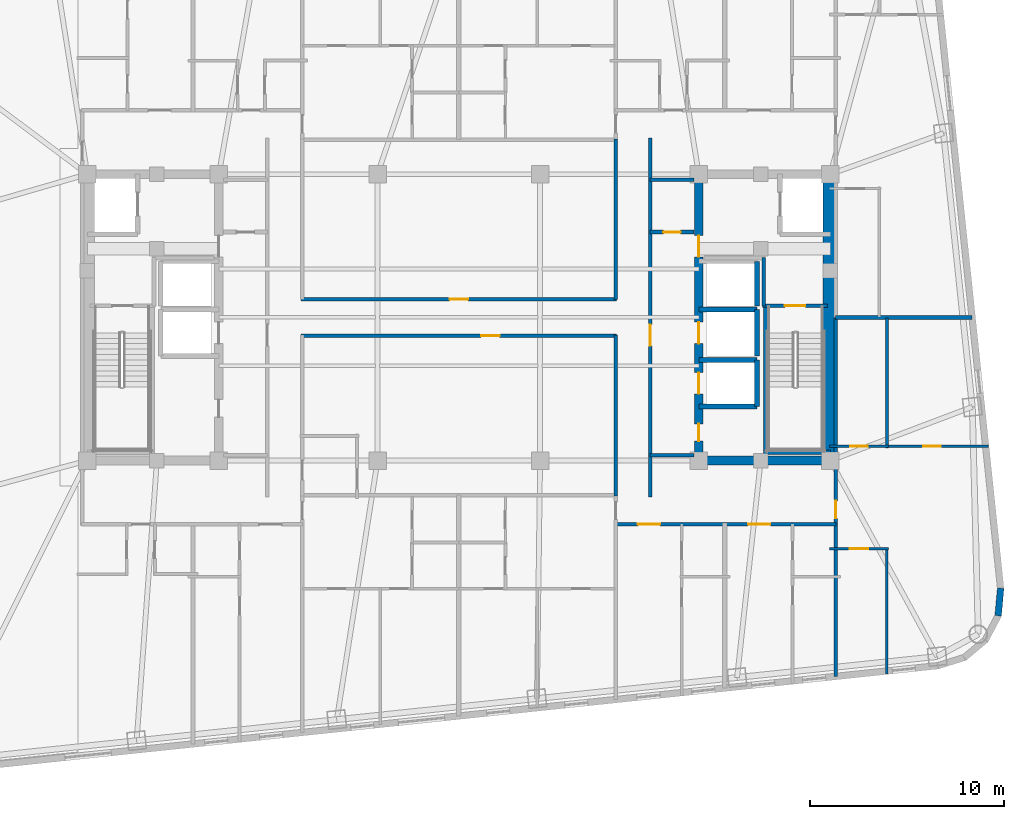
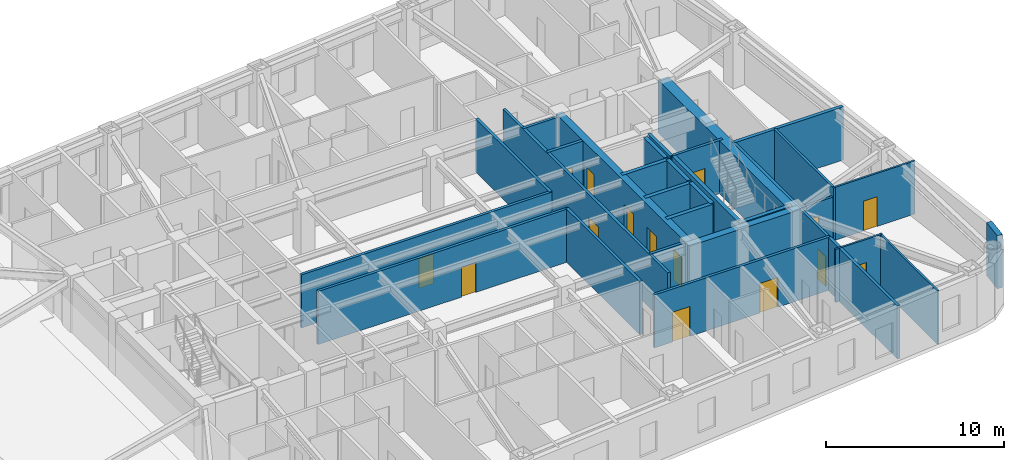
# One storey, part 9 of 15: 30 walls, 15 doors, 15 openings.
"""IFC4 building model written with IfcOpenShell, lengths in metres."""

from ifc_helpers import new_model, si_unit, direction, frame, frame_2d, origin, place, context, subcontext, project, spatial, rectangle, extrude, material, layer, layer_set, type_object, element, fill, save


model = new_model("IFC4")

# Units and contexts
model_context = context("Model", 3, precision=1e-05, world=origin(), true_north=direction((0.0, 1.0)))
body_context = subcontext(model_context, "Body", "Model", "MODEL_VIEW")
ifc_project = project(units=[si_unit("LENGTHUNIT", "METRE"), si_unit("AREAUNIT", "SQUARE_METRE"), si_unit("VOLUMEUNIT", "CUBIC_METRE"), si_unit("PLANEANGLEUNIT", "RADIAN"), si_unit("MASSUNIT", "GRAM", prefix="KILO")], contexts=[model_context])

# Site, building, storey
site_placement = place(None, origin())
site = spatial("IfcSite", under=ifc_project, at=site_placement, CompositionType="ELEMENT")
building_placement = place(site_placement, origin())
building = spatial("IfcBuilding", under=site, at=building_placement, Name="Voryun Gate Residences", CompositionType="ELEMENT")
storey_placement = place(building_placement, frame((0.0, 0.0, 148.199951171875)))
storey = spatial("IfcBuildingStorey", under=building, at=storey_placement, Name="L36", CompositionType="ELEMENT", Elevation=148.199951171875)

# Wall
ifc_material_1 = material(Name="Concrete C50/60", Category="concrete")
ifc_layer_1 = layer(ifc_material_1, 0.449951171875, Name="CW_CORE_450")
ifc_layer_set_1 = layer_set([ifc_layer_1], Name="Concrete C50/60")
wall_type_1 = type_object("IfcWallType", Name="CW_CORE_450", PredefinedType="SHEAR", material=ifc_layer_set_1)
wall_1_placement = place(storey_placement, frame((12.175048828125, -7.39990234375, 0.0), z_axis=(0.0, 0.0, 1.0), x_axis=(1.0, 0.0, 0.0)))
element("IfcWall", 1, at=wall_1_placement, inside=storey, type_object=wall_type_1, Name="L36 Core shear wall CW-L36-ES", PredefinedType="SHEAR", context=body_context, shape_type="SweptSolid", body=[
    extrude(rectangle(XDim=7.25, YDim=0.449951171875, at=frame_2d((3.625, 0.0))), origin(), (0.0, 0.0, 1.0), 3.650146484375),
])

# Wall, openings, doors
wall_2_placement = place(storey_placement, frame((12.39990234375, -7.39990234375, 0.0), z_axis=(0.0, 0.0, 1.0), x_axis=(0.0, 1.0, 0.0)))
wall_2 = element("IfcWall", 2, at=wall_2_placement, inside=storey, type_object=wall_type_1, Name="L36 Core shear wall CW-L36-EW", PredefinedType="SHEAR", context=body_context, shape_type="SweptSolid", body=[
    extrude(rectangle(XDim=14.7998046875, YDim=0.449951171875, at=frame_2d((7.39990234375, 0.0))), origin(), (0.0, 0.0, 1.0), 3.650146484375),
])
opening_1_placement = place(wall_2_placement, frame((3.449951171875, 0.0, 0.0)))
opening_1 = element("IfcOpeningElement", 3, at=opening_1_placement, cuts=wall_2, Name="Opening LD2", PredefinedType="OPENING", context=body_context, shape_type="SweptSolid", body=[
    extrude(rectangle(XDim=1.10009765625, YDim=2.050048828125, at=frame_2d((0.550048828125, 1.02490234375))), frame((0.0, 0.235107421875, 0.0), z_axis=(0.0, -1.0, 0.0), x_axis=(1.0, 0.0, 0.0)), (0.0, 0.0, 1.0), 0.469970703125),
])
opening_2_placement = place(wall_2_placement, frame((6.050048828125, 0.0, 0.0)))
opening_2 = element("IfcOpeningElement", 4, at=opening_2_placement, cuts=wall_2, Name="Opening LD2", PredefinedType="OPENING", context=body_context, shape_type="SweptSolid", body=[
    extrude(rectangle(XDim=1.10009765625, YDim=2.050048828125, at=frame_2d((0.550048828125, 1.02490234375))), frame((0.0, 0.235107421875, 0.0), z_axis=(0.0, -1.0, 0.0), x_axis=(1.0, 0.0, 0.0)), (0.0, 0.0, 1.0), 0.469970703125),
])
opening_3_placement = place(wall_2_placement, frame((10.530029296875, 0.0, 0.0)))
opening_3 = element("IfcOpeningElement", 5, at=opening_3_placement, cuts=wall_2, Name="Opening D-FD60-2", PredefinedType="OPENING", context=body_context, shape_type="SweptSolid", body=[
    extrude(rectangle(XDim=1.10009765625, YDim=2.050048828125, at=frame_2d((0.550048828125, 1.02490234375))), frame((0.0, 0.235107421875, 0.0), z_axis=(0.0, -1.0, 0.0), x_axis=(1.0, 0.0, 0.0)), (0.0, 0.0, 1.0), 0.469970703125),
])
opening_4_placement = place(wall_2_placement, frame((1.0, 0.0, 0.0)))
opening_4 = element("IfcOpeningElement", 6, at=opening_4_placement, cuts=wall_2, Name="Opening D-FD60-4", PredefinedType="OPENING", context=body_context, shape_type="SweptSolid", body=[
    extrude(rectangle(XDim=0.89990234375, YDim=2.050048828125, at=frame_2d((0.449951171875, 1.02490234375))), frame((0.0, 0.235107421875, 0.0), z_axis=(0.0, -1.0, 0.0), x_axis=(1.0, 0.0, 0.0)), (0.0, 0.0, 1.0), 0.469970703125),
])
ifc_material_2 = material(Name="Painted steel fire door", Category="steel")
door_type_1 = type_object("IfcDoorType", Name="DR_FD60_FFLOB_1100", OperationType="NOTDEFINED", PredefinedType="DOOR", material=ifc_material_2)
door_1_placement = place(opening_3_placement, origin())
door_1 = element("IfcDoor", 7, at=door_1_placement, inside=storey, type_object=door_type_1, Name="Door DR-L36-CLOB-E", OperationType="SINGLE_SWING_RIGHT", OverallHeight=2.050048828125, OverallWidth=1.10009765625, PredefinedType="DOOR", context=body_context, shape_type="SweptSolid", body=[
    extrude(rectangle(XDim=1.10009765625, YDim=2.050048828125, at=frame_2d((0.550048828125, 1.02490234375))), frame((0.0, 0.02490234375, 0.0), z_axis=(0.0, -1.0, 0.0), x_axis=(1.0, 0.0, 0.0)), (0.0, 0.0, 1.0), 0.050048828125),
])
fill(opening_3, door_1)
ifc_material_3 = material(Name="Painted steel fire door", Category="steel")
door_type_2 = type_object("IfcDoorType", Name="DR_FD60_RISER_900", OperationType="NOTDEFINED", PredefinedType="DOOR", material=ifc_material_3)
door_2_placement = place(opening_4_placement, origin())
door_2 = element("IfcDoor", 8, at=door_2_placement, inside=storey, type_object=door_type_2, Name="Door DR-L36-RECE1", OperationType="SINGLE_SWING_RIGHT", OverallHeight=2.050048828125, OverallWidth=0.89990234375, PredefinedType="DOOR", context=body_context, shape_type="SweptSolid", body=[
    extrude(rectangle(XDim=0.89990234375, YDim=2.050048828125, at=frame_2d((0.449951171875, 1.02490234375))), frame((0.0, 0.02490234375, 0.0), z_axis=(0.0, -1.0, 0.0), x_axis=(1.0, 0.0, 0.0)), (0.0, 0.0, 1.0), 0.050048828125),
])
fill(opening_4, door_2)
ifc_material_4 = material(Name="Anodised aluminium", Category="aluminium")
door_type_3 = type_object("IfcDoorType", Name="DR_LD_PASS_1100", OperationType="NOTDEFINED", PredefinedType="DOOR", material=ifc_material_4)
door_3_placement = place(opening_1_placement, origin())
door_3 = element("IfcDoor", 9, at=door_3_placement, inside=storey, type_object=door_type_3, Name="Lift EL-P5 sliding landing door L36", OperationType="SLIDING_TO_LEFT", OverallHeight=2.050048828125, OverallWidth=1.10009765625, PredefinedType="DOOR", context=body_context, shape_type="SweptSolid", body=[
    extrude(rectangle(XDim=1.10009765625, YDim=2.050048828125, at=frame_2d((0.550048828125, 1.02490234375))), frame((0.0, 0.02490234375, 0.0), z_axis=(0.0, -1.0, 0.0), x_axis=(1.0, 0.0, 0.0)), (0.0, 0.0, 1.0), 0.050048828125),
])
fill(opening_1, door_3)
door_4_placement = place(opening_2_placement, origin())
door_4 = element("IfcDoor", 10, at=door_4_placement, inside=storey, type_object=door_type_3, Name="Lift EL-P6 sliding landing door L36", OperationType="SLIDING_TO_LEFT", OverallHeight=2.050048828125, OverallWidth=1.10009765625, PredefinedType="DOOR", context=body_context, shape_type="SweptSolid", body=[
    extrude(rectangle(XDim=1.10009765625, YDim=2.050048828125, at=frame_2d((0.550048828125, 1.02490234375))), frame((0.0, 0.02490234375, 0.0), z_axis=(0.0, -1.0, 0.0), x_axis=(1.0, 0.0, 0.0)), (0.0, 0.0, 1.0), 0.050048828125),
])
fill(opening_2, door_4)

# Wall
ifc_material_5 = material(Name="Concrete C60/75", Category="concrete")
ifc_layer_2 = layer(ifc_material_5, 0.64990234375, Name="CW_CORE_650")
ifc_layer_set_2 = layer_set([ifc_layer_2], Name="Concrete C60/75")
wall_type_2 = type_object("IfcWallType", Name="CW_CORE_650", PredefinedType="SHEAR", material=ifc_layer_set_2)
wall_3_placement = place(storey_placement, frame((19.14501953125, -7.39990234375, 0.0), z_axis=(0.0, 0.0, 1.0), x_axis=(0.0, 1.0, 0.0)))
element("IfcWall", 11, at=wall_3_placement, inside=storey, type_object=wall_type_2, Name="L36 Core shear wall CW-L36-EE", PredefinedType="SHEAR", context=body_context, shape_type="SweptSolid", body=[
    extrude(rectangle(XDim=14.7998046875, YDim=0.64990234375, at=frame_2d((7.39990234375, 0.0))), origin(), (0.0, 0.0, 1.0), 3.650146484375),
])

# Wall, opening, door
ifc_material_6 = material(Name="Gypsum acoustic fireboard")
ifc_layer_3 = layer(ifc_material_6, 0.179931640625, Name="W_CORR_RATED_180")
ifc_layer_set_3 = layer_set([ifc_layer_3], Name="Gypsum acoustic fireboard")
wall_type_3 = type_object("IfcWallType", Name="W_CORR_RATED_180", PredefinedType="PARTITIONING", material=ifc_layer_set_3)
wall_4_placement = place(storey_placement, frame((15.699951171875, 0.60009765625, 0.0), z_axis=(0.0, 0.0, 1.0), x_axis=(1.0, 0.0, 0.0)))
wall_4 = element("IfcWall", 12, at=wall_4_placement, inside=storey, type_object=wall_type_3, Name="Partition wall WP-L36-STV-E", PredefinedType="PARTITIONING", context=body_context, shape_type="SweptSolid", body=[
    extrude(rectangle(XDim=3.360107421875, YDim=0.179931640625, at=frame_2d((1.68017578125, 0.0))), origin(), (0.0, 0.0, 1.0), 3.650146484375),
])
opening_5_placement = place(wall_4_placement, frame((1.155029296875, 0.0, 0.0)))
opening_5 = element("IfcOpeningElement", 13, at=opening_5_placement, cuts=wall_4, Name="Opening D-FD60-1", PredefinedType="OPENING", context=body_context, shape_type="SweptSolid", body=[
    extrude(rectangle(XDim=1.050048828125, YDim=2.050048828125, at=frame_2d((0.52490234375, 1.02490234375))), frame((0.0, 0.099853515625, 0.0), z_axis=(0.0, -1.0, 0.0), x_axis=(1.0, 0.0, 0.0)), (0.0, 0.0, 1.0), 0.199951171875),
])
ifc_material_7 = material(Name="Painted steel fire door", Category="steel")
door_type_4 = type_object("IfcDoorType", Name="DR_FD60_STAIR_1050", OperationType="NOTDEFINED", PredefinedType="DOOR", material=ifc_material_7)
door_5_placement = place(opening_5_placement, origin())
door_5 = element("IfcDoor", 14, at=door_5_placement, inside=storey, type_object=door_type_4, Name="Door DR-L36-ST-E", OperationType="SINGLE_SWING_RIGHT", OverallHeight=2.050048828125, OverallWidth=1.050048828125, PredefinedType="DOOR", context=body_context, shape_type="SweptSolid", body=[
    extrude(rectangle(XDim=1.050048828125, YDim=2.050048828125, at=frame_2d((0.52490234375, 1.02490234375))), frame((0.0, 0.02490234375, 0.0), z_axis=(0.0, -1.0, 0.0), x_axis=(1.0, 0.0, 0.0)), (0.0, 0.0, 1.0), 0.050048828125),
])
fill(opening_5, door_5)

# Walls
for number, where, z_axis, x_axis, name in (
    (15, (9.8798828125, 7.1201171875, 0.0), (0.0, 0.0, 1.0), (1.0, 0.0, 0.0), "Partition wall WP-L36-PLBN-E"),
    (16, (9.8798828125, -7.1201171875, 0.0), (0.0, 0.0, 1.0), (1.0, 0.0, 0.0), "Partition wall WP-L36-PLBS-E"),
):
    element("IfcWall", number, at=place(storey_placement, frame(where, z_axis=z_axis, x_axis=x_axis)), inside=storey, type_object=wall_type_3, Name=name, PredefinedType="PARTITIONING", context=body_context, shape_type="SweptSolid", body=[
        extrude(rectangle(XDim=2.27001953125, YDim=0.179931640625, at=frame_2d((1.135009765625, 0.0))), origin(), (0.0, 0.0, 1.0), 3.650146484375),
    ])

# Wall, opening, door
wall_5_placement = place(storey_placement, frame((9.89990234375, -9.280029296875, 0.0), z_axis=(0.0, 0.0, 1.0), x_axis=(0.0, 1.0, 0.0)))
wall_5 = element("IfcWall", 17, at=wall_5_placement, inside=storey, type_object=wall_type_3, Name="Partition wall WP-L36-PLBE-FULL", PredefinedType="PARTITIONING", context=body_context, shape_type="SweptSolid", body=[
    extrude(rectangle(XDim=18.56005859375, YDim=0.179931640625, at=frame_2d((9.280029296875, 0.0))), origin(), (0.0, 0.0, 1.0), 3.650146484375),
])
opening_6_placement = place(wall_5_placement, frame((7.802001953125, 0.0, 0.0)))
opening_6 = element("IfcOpeningElement", 18, at=opening_6_placement, cuts=wall_5, Name="Opening D-FD60-2", PredefinedType="OPENING", context=body_context, shape_type="SweptSolid", body=[
    extrude(rectangle(XDim=1.10009765625, YDim=2.050048828125, at=frame_2d((0.550048828125, 1.02490234375))), frame((0.0, 0.099853515625, 0.0), z_axis=(0.0, -1.0, 0.0), x_axis=(1.0, 0.0, 0.0)), (0.0, 0.0, 1.0), 0.199951171875),
])
door_6_placement = place(opening_6_placement, origin())
door_6 = element("IfcDoor", 19, at=door_6_placement, inside=storey, type_object=door_type_1, Name="Door DR-L36-PLBE-COR", OperationType="SINGLE_SWING_RIGHT", OverallHeight=2.050048828125, OverallWidth=1.10009765625, PredefinedType="DOOR", context=body_context, shape_type="SweptSolid", body=[
    extrude(rectangle(XDim=1.10009765625, YDim=2.050048828125, at=frame_2d((0.550048828125, 1.02490234375))), frame((0.0, 0.02490234375, 0.0), z_axis=(0.0, -1.0, 0.0), x_axis=(1.0, 0.0, 0.0)), (0.0, 0.0, 1.0), 0.050048828125),
])
fill(opening_6, door_6)

wall_6_placement = place(storey_placement, frame((-8.14990234375, 0.93994140625, 0.0), z_axis=(0.0, 0.0, 1.0), x_axis=(1.0, 0.0, 0.0)))
wall_6 = element("IfcWall", 20, at=wall_6_placement, inside=storey, type_object=wall_type_3, Name="Partition wall WP-L36-Z2HN", PredefinedType="PARTITIONING", context=body_context, shape_type="SweptSolid", body=[
    extrude(rectangle(XDim=16.2998046875, YDim=0.179931640625, at=frame_2d((8.14990234375, 0.0))), origin(), (0.0, 0.0, 1.0), 3.650146484375),
])
opening_7_placement = place(wall_6_placement, frame((7.675048828125, 0.0, 0.0)))
opening_7 = element("IfcOpeningElement", 21, at=opening_7_placement, cuts=wall_6, Name="Opening D-INT-1", PredefinedType="OPENING", context=body_context, shape_type="SweptSolid", body=[
    extrude(rectangle(XDim=0.949951171875, YDim=2.050048828125, at=frame_2d((0.47509765625, 1.02490234375))), frame((0.0, 0.099853515625, 0.0), z_axis=(0.0, -1.0, 0.0), x_axis=(1.0, 0.0, 0.0)), (0.0, 0.0, 1.0), 0.199951171875),
])
ifc_material_8 = material(Name="Architectural oak veneer")
door_type_5 = type_object("IfcDoorType", Name="DR_INT_ROOM_950", OperationType="NOTDEFINED", PredefinedType="DOOR", material=ifc_material_8)
door_7_placement = place(opening_7_placement, origin())
door_7 = element("IfcDoor", 22, at=door_7_placement, inside=storey, type_object=door_type_5, Name="Door DR-L36-Z2NH", OperationType="SINGLE_SWING_LEFT", OverallHeight=2.050048828125, OverallWidth=0.949951171875, PredefinedType="DOOR", context=body_context, shape_type="SweptSolid", body=[
    extrude(rectangle(XDim=0.949951171875, YDim=2.050048828125, at=frame_2d((0.47509765625, 1.02490234375))), frame((0.0, 0.02490234375, 0.0), z_axis=(0.0, -1.0, 0.0), x_axis=(1.0, 0.0, 0.0)), (0.0, 0.0, 1.0), 0.050048828125),
])
fill(opening_7, door_7)

wall_7_placement = place(storey_placement, frame((-8.14990234375, -0.93994140625, 0.0), z_axis=(0.0, 0.0, 1.0), x_axis=(1.0, 0.0, 0.0)))
wall_7 = element("IfcWall", 23, at=wall_7_placement, inside=storey, type_object=wall_type_3, Name="Partition wall WP-L36-Z2HS", PredefinedType="PARTITIONING", context=body_context, shape_type="SweptSolid", body=[
    extrude(rectangle(XDim=16.2998046875, YDim=0.179931640625, at=frame_2d((8.14990234375, 0.0))), origin(), (0.0, 0.0, 1.0), 3.650146484375),
])
opening_8_placement = place(wall_7_placement, frame((9.304931640625, 0.0, 0.0)))
opening_8 = element("IfcOpeningElement", 24, at=opening_8_placement, cuts=wall_7, Name="Opening D-INT-1", PredefinedType="OPENING", context=body_context, shape_type="SweptSolid", body=[
    extrude(rectangle(XDim=0.949951171875, YDim=2.050048828125, at=frame_2d((0.47509765625, 1.02490234375))), frame((0.0, 0.099853515625, 0.0), z_axis=(0.0, -1.0, 0.0), x_axis=(1.0, 0.0, 0.0)), (0.0, 0.0, 1.0), 0.199951171875),
])
door_8_placement = place(opening_8_placement, origin())
door_8 = element("IfcDoor", 25, at=door_8_placement, inside=storey, type_object=door_type_5, Name="Door DR-L36-Z2SH", OperationType="SINGLE_SWING_RIGHT", OverallHeight=2.050048828125, OverallWidth=0.949951171875, PredefinedType="DOOR", context=body_context, shape_type="SweptSolid", body=[
    extrude(rectangle(XDim=0.949951171875, YDim=2.050048828125, at=frame_2d((0.47509765625, 1.02490234375))), frame((0.0, 0.02490234375, 0.0), z_axis=(0.0, -1.0, 0.0), x_axis=(1.0, 0.0, 0.0)), (0.0, 0.0, 1.0), 0.050048828125),
])
fill(opening_8, door_8)

# Walls
for number, where, z_axis, x_axis, name in (
    (26, (8.10009765625, 0.919921875, 0.0), (0.0, 0.0, 1.0), (0.0, 1.0, 0.0), "Partition wall WP-L36-Z2ER1"),
    (27, (8.10009765625, -9.22998046875, 0.0), (0.0, 0.0, 1.0), (0.0, 1.0, 0.0), "Partition wall WP-L36-Z2ER2"),
):
    element("IfcWall", number, at=place(storey_placement, frame(where, z_axis=z_axis, x_axis=x_axis)), inside=storey, type_object=wall_type_3, Name=name, PredefinedType="PARTITIONING", context=body_context, shape_type="SweptSolid", body=[
        extrude(rectangle(XDim=8.31005859375, YDim=0.179931640625, at=frame_2d((4.155029296875, 0.0))), origin(), (0.0, 0.0, 1.0), 3.650146484375),
    ])

# Wall, openings, doors
wall_8_placement = place(storey_placement, frame((8.080078125, -10.699951171875, 0.0), z_axis=(0.0, 0.0, 1.0), x_axis=(1.0, 0.0, 0.0)))
wall_8 = element("IfcWall", 28, at=wall_8_placement, inside=storey, type_object=wall_type_3, Name="Partition wall WP-L36-SCORR-E", PredefinedType="PARTITIONING", context=body_context, shape_type="SweptSolid", body=[
    extrude(rectangle(XDim=11.419921875, YDim=0.179931640625, at=frame_2d((5.7099609375, 0.0))), origin(), (0.0, 0.0, 1.0), 3.650146484375),
])
opening_9_placement = place(wall_8_placement, frame((1.174560546875, 0.0, 0.0)))
opening_9 = element("IfcOpeningElement", 29, at=opening_9_placement, cuts=wall_8, Name="Opening D-UNIT-1", PredefinedType="OPENING", context=body_context, shape_type="SweptSolid", body=[
    extrude(rectangle(XDim=1.14990234375, YDim=2.050048828125, at=frame_2d((0.574951171875, 1.02490234375))), frame((0.0, 0.099853515625, 0.0), z_axis=(0.0, -1.0, 0.0), x_axis=(1.0, 0.0, 0.0)), (0.0, 0.0, 1.0), 0.199951171875),
])
opening_10_placement = place(wall_8_placement, frame((6.86962890625, 0.0, 0.0)))
opening_10 = element("IfcOpeningElement", 30, at=opening_10_placement, cuts=wall_8, Name="Opening D-UNIT-1", PredefinedType="OPENING", context=body_context, shape_type="SweptSolid", body=[
    extrude(rectangle(XDim=1.14990234375, YDim=2.050048828125, at=frame_2d((0.574951171875, 1.02490234375))), frame((0.0, 0.099853515625, 0.0), z_axis=(0.0, -1.0, 0.0), x_axis=(1.0, 0.0, 0.0)), (0.0, 0.0, 1.0), 0.199951171875),
])
ifc_material_9 = material(Name="Armoured timber-clad fire door", Category="wood")
door_type_6 = type_object("IfcDoorType", Name="DR_UNIT_ENTRY_1150", OperationType="NOTDEFINED", PredefinedType="DOOR", material=ifc_material_9)
door_9_placement = place(opening_9_placement, origin())
door_9 = element("IfcDoor", 31, at=door_9_placement, inside=storey, type_object=door_type_6, Name="Door DR-L36-SENT-4", OperationType="SINGLE_SWING_LEFT", OverallHeight=2.050048828125, OverallWidth=1.14990234375, PredefinedType="DOOR", context=body_context, shape_type="SweptSolid", body=[
    extrude(rectangle(XDim=1.14990234375, YDim=2.050048828125, at=frame_2d((0.574951171875, 1.02490234375))), frame((0.0, 0.02490234375, 0.0), z_axis=(0.0, -1.0, 0.0), x_axis=(1.0, 0.0, 0.0)), (0.0, 0.0, 1.0), 0.050048828125),
])
fill(opening_9, door_9)
door_10_placement = place(opening_10_placement, origin())
door_10 = element("IfcDoor", 32, at=door_10_placement, inside=storey, type_object=door_type_6, Name="Door DR-L36-SENT-5", OperationType="SINGLE_SWING_RIGHT", OverallHeight=2.050048828125, OverallWidth=1.14990234375, PredefinedType="DOOR", context=body_context, shape_type="SweptSolid", body=[
    extrude(rectangle(XDim=1.14990234375, YDim=2.050048828125, at=frame_2d((0.574951171875, 1.02490234375))), frame((0.0, 0.02490234375, 0.0), z_axis=(0.0, -1.0, 0.0), x_axis=(1.0, 0.0, 0.0)), (0.0, 0.0, 1.0), 0.050048828125),
])
fill(opening_10, door_10)

# Wall, opening, door
wall_9_placement = place(storey_placement, frame((19.469970703125, -18.55859375, 0.0), z_axis=(0.0, 0.0, 1.0), x_axis=(0.0, 1.0, 0.0)))
wall_9 = element("IfcWall", 33, at=wall_9_placement, inside=storey, type_object=wall_type_3, Name="Partition wall WP-L36-ECOR1", PredefinedType="PARTITIONING", context=body_context, shape_type="SweptSolid", body=[
    extrude(rectangle(XDim=18.55859375, YDim=0.179931640625, at=frame_2d((9.279296875, 0.0))), origin(), (0.0, 0.0, 1.0), 3.650146484375),
])
opening_11_placement = place(wall_9_placement, frame((8.177978515625, 0.0, 0.0)))
opening_11 = element("IfcOpeningElement", 34, at=opening_11_placement, cuts=wall_9, Name="Opening D-INT-2", PredefinedType="OPENING", context=body_context, shape_type="SweptSolid", body=[
    extrude(rectangle(XDim=0.89990234375, YDim=2.050048828125, at=frame_2d((0.449951171875, 1.02490234375))), frame((0.0, 0.099853515625, 0.0), z_axis=(0.0, -1.0, 0.0), x_axis=(1.0, 0.0, 0.0)), (0.0, 0.0, 1.0), 0.199951171875),
])
ifc_material_10 = material(Name="Architectural oak veneer")
door_type_7 = type_object("IfcDoorType", Name="DR_INT_BATH_900", OperationType="NOTDEFINED", PredefinedType="DOOR", material=ifc_material_10)
door_11_placement = place(opening_11_placement, origin())
door_11 = element("IfcDoor", 35, at=door_11_placement, inside=storey, type_object=door_type_7, Name="Door DR-L36-EE1", OperationType="SINGLE_SWING_LEFT", OverallHeight=2.050048828125, OverallWidth=0.89990234375, PredefinedType="DOOR", context=body_context, shape_type="SweptSolid", body=[
    extrude(rectangle(XDim=0.89990234375, YDim=2.050048828125, at=frame_2d((0.449951171875, 1.02490234375))), frame((0.0, 0.02490234375, 0.0), z_axis=(0.0, -1.0, 0.0), x_axis=(1.0, 0.0, 0.0)), (0.0, 0.0, 1.0), 0.050048828125),
])
fill(opening_11, door_11)

# Walls
ifc_material_11 = material(Name="Charcoal terracotta masonry", Category="masonry")
ifc_layer_4 = layer(ifc_material_11, 0.340087890625, Name="W_EXT_TERRACOTTA_340")
ifc_layer_set_4 = layer_set([ifc_layer_4], Name="Charcoal terracotta masonry")
wall_type_4 = type_object("IfcWallType", Name="W_EXT_TERRACOTTA_340", PredefinedType="ELEMENTEDWALL", material=ifc_layer_set_4)
wall_10_placement = place(storey_placement, frame((28.001220703125, -13.9951171875, 0.0), z_axis=(0.0, 0.0, 1.0), x_axis=(-0.091534682358, -0.995801888894, 0.0)))
element("IfcWall", 36, at=wall_10_placement, inside=storey, type_object=wall_type_4, Name="Exterior wall WEXT-L36-17", PredefinedType="ELEMENTEDWALL", context=body_context, shape_type="SweptSolid", body=[
    extrude(rectangle(XDim=1.432373046875, YDim=0.340087890625, at=frame_2d((0.71630859375, 0.0))), origin(), (0.0, 0.0, 1.0), 3.650146484375),
])
ifc_material_12 = material(Name="Concrete C40/50", Category="concrete")
ifc_layer_5 = layer(ifc_material_12, 0.199951171875, Name="W_FF_LOBBY_200")
ifc_layer_set_5 = layer_set([ifc_layer_5], Name="Concrete C40/50")
wall_type_5 = type_object("IfcWallType", Name="W_FF_LOBBY_200", PredefinedType="PARTITIONING", material=ifc_layer_set_5)
wall_11_placement = place(storey_placement, frame((15.760009765625, 0.580078125, 0.0), z_axis=(0.0, 0.0, 1.0), x_axis=(0.0, 1.0, 0.0)))
element("IfcWall", 37, at=wall_11_placement, inside=storey, type_object=wall_type_5, Name="Partition wall WP-L36-FFP0-E", PredefinedType="PARTITIONING", context=body_context, shape_type="SweptSolid", body=[
    extrude(rectangle(XDim=2.52001953125, YDim=0.199951171875, at=frame_2d((1.260009765625, 0.0))), origin(), (0.0, 0.0, 1.0), 3.650146484375),
])

# Wall, opening, door
wall_12_placement = place(storey_placement, frame((9.8798828125, 4.409912109375, 0.0), z_axis=(0.0, 0.0, 1.0), x_axis=(1.0, 0.0, 0.0)))
wall_12 = element("IfcWall", 38, at=wall_12_placement, inside=storey, type_object=wall_type_5, Name="Partition wall WP-L36-CSFLKS-E", PredefinedType="PARTITIONING", context=body_context, shape_type="SweptSolid", body=[
    extrude(rectangle(XDim=2.27001953125, YDim=0.199951171875, at=frame_2d((1.135009765625, 0.0))), origin(), (0.0, 0.0, 1.0), 3.650146484375),
])
opening_12_placement = place(wall_12_placement, frame((0.68505859375, 0.0, 0.0)))
opening_12 = element("IfcOpeningElement", 39, at=opening_12_placement, cuts=wall_12, Name="Opening D-FD60-4", PredefinedType="OPENING", context=body_context, shape_type="SweptSolid", body=[
    extrude(rectangle(XDim=0.89990234375, YDim=2.050048828125, at=frame_2d((0.449951171875, 1.02490234375))), frame((0.0, 0.110107421875, 0.0), z_axis=(0.0, -1.0, 0.0), x_axis=(1.0, 0.0, 0.0)), (0.0, 0.0, 1.0), 0.219970703125),
])
door_12_placement = place(opening_12_placement, origin())
door_12 = element("IfcDoor", 40, at=door_12_placement, inside=storey, type_object=door_type_2, Name="Door DR-L36-CSFLK-E", OperationType="SINGLE_SWING_RIGHT", OverallHeight=2.050048828125, OverallWidth=0.89990234375, PredefinedType="DOOR", context=body_context, shape_type="SweptSolid", body=[
    extrude(rectangle(XDim=0.89990234375, YDim=2.050048828125, at=frame_2d((0.449951171875, 1.02490234375))), frame((0.0, 0.02490234375, 0.0), z_axis=(0.0, -1.0, 0.0), x_axis=(1.0, 0.0, 0.0)), (0.0, 0.0, 1.0), 0.050048828125),
])
fill(opening_12, door_12)

# Walls
ifc_material_13 = material(Name="Concrete C40/50", Category="concrete")
ifc_layer_6 = layer(ifc_material_13, 0.219970703125, Name="W_PARTY_ACOUSTIC_220")
ifc_layer_set_6 = layer_set([ifc_layer_6], Name="Concrete C40/50")
wall_type_6 = type_object("IfcWallType", Name="W_PARTY_ACOUSTIC_220", PredefinedType="PARTITIONING", material=ifc_layer_set_6)
wall_13_placement = place(storey_placement, frame((19.469970703125, 0.0, 0.0), z_axis=(0.0, 0.0, 1.0), x_axis=(1.0, 0.0, 0.0)))
element("IfcWall", 41, at=wall_13_placement, inside=storey, type_object=wall_type_6, Name="Partition wall WP-L36-EPTY", PredefinedType="PARTITIONING", context=body_context, shape_type="SweptSolid", body=[
    extrude(rectangle(XDim=7.06005859375, YDim=0.219970703125, at=frame_2d((3.530029296875, 0.0))), origin(), (0.0, 0.0, 1.0), 3.650146484375),
])
ifc_material_14 = material(Name="Concrete C50/60", Category="concrete")
ifc_layer_7 = layer(ifc_material_14, 0.25, Name="W_SHAFT_RC250")
ifc_layer_set_7 = layer_set([ifc_layer_7], Name="Concrete C50/60")
wall_type_7 = type_object("IfcWallType", Name="W_SHAFT_RC250", PredefinedType="SOLIDWALL", material=ifc_layer_set_7)
wall_14_placement = place(storey_placement, frame((15.860107421875, -7.0849609375, 0.0), z_axis=(0.0, 0.0, 1.0), x_axis=(0.0, 1.0, 0.0)))
element("IfcWall", 42, at=wall_14_placement, inside=storey, type_object=wall_type_7, Name="L36 Stair shaft structural wall E-STL", PredefinedType="SOLIDWALL", context=body_context, shape_type="SweptSolid", body=[
    extrude(rectangle(XDim=7.68505859375, YDim=0.25, at=frame_2d((3.842529296875, 0.0))), origin(), (0.0, 0.0, 1.0), 3.650146484375),
])
wall_15_placement = place(storey_placement, frame((15.739990234375, -6.965087890625, 0.0), z_axis=(0.0, 0.0, 1.0), x_axis=(1.0, 0.0, 0.0)))
element("IfcWall", 43, at=wall_15_placement, inside=storey, type_object=wall_type_7, Name="L36 Stair shaft structural wall E-STS", PredefinedType="SOLIDWALL", context=body_context, shape_type="SweptSolid", body=[
    extrude(rectangle(XDim=3.4599609375, YDim=0.25, at=frame_2d((1.72998046875, 0.0))), origin(), (0.0, 0.0, 1.0), 3.650146484375),
])
wall_16_placement = place(storey_placement, frame((12.39990234375, -4.60009765625, 0.0), z_axis=(0.0, 0.0, 1.0), x_axis=(1.0, 0.0, 0.0)))
element("IfcWall", 44, at=wall_16_placement, inside=storey, type_object=wall_type_7, Name="Lift shaft wall WSH-L36-EL-P5-S", PredefinedType="SOLIDWALL", context=body_context, shape_type="SweptSolid", body=[
    extrude(rectangle(XDim=3.0, YDim=0.25, at=frame_2d((1.5, 0.0))), origin(), (0.0, 0.0, 1.0), 3.650146484375),
])
wall_17_placement = place(storey_placement, frame((15.39990234375, -4.60009765625, 0.0), z_axis=(0.0, 0.0, 1.0), x_axis=(0.0, 1.0, 0.0)))
element("IfcWall", 45, at=wall_17_placement, inside=storey, type_object=wall_type_7, Name="Lift shaft wall WSH-L36-EL-P5-E", PredefinedType="SOLIDWALL", context=body_context, shape_type="SweptSolid", body=[
    extrude(rectangle(XDim=2.400146484375, YDim=0.25, at=frame_2d((1.2001953125, 0.0))), origin(), (0.0, 0.0, 1.0), 3.650146484375),
])
wall_18_placement = place(storey_placement, frame((15.39990234375, -2.199951171875, 0.0), z_axis=(0.0, 0.0, 1.0), x_axis=(-1.0, 0.0, 0.0)))
element("IfcWall", 46, at=wall_18_placement, inside=storey, type_object=wall_type_7, Name="Lift shaft wall WSH-L36-EL-P5-N", PredefinedType="SOLIDWALL", context=body_context, shape_type="SweptSolid", body=[
    extrude(rectangle(XDim=3.0, YDim=0.25, at=frame_2d((1.5, 0.0))), origin(), (0.0, 0.0, 1.0), 3.650146484375),
])
wall_19_placement = place(storey_placement, frame((15.39990234375, -2.0, 0.0), z_axis=(0.0, 0.0, 1.0), x_axis=(0.0, 1.0, 0.0)))
element("IfcWall", 47, at=wall_19_placement, inside=storey, type_object=wall_type_7, Name="Lift shaft wall WSH-L36-EL-P6-E", PredefinedType="SOLIDWALL", context=body_context, shape_type="SweptSolid", body=[
    extrude(rectangle(XDim=2.39990234375, YDim=0.25, at=frame_2d((1.199951171875, 0.0))), origin(), (0.0, 0.0, 1.0), 3.650146484375),
])
wall_20_placement = place(storey_placement, frame((15.39990234375, 0.39990234375, 0.0), z_axis=(0.0, 0.0, 1.0), x_axis=(-1.0, 0.0, 0.0)))
element("IfcWall", 48, at=wall_20_placement, inside=storey, type_object=wall_type_7, Name="Lift shaft wall WSH-L36-EL-P6-N", PredefinedType="SOLIDWALL", context=body_context, shape_type="SweptSolid", body=[
    extrude(rectangle(XDim=3.0, YDim=0.25, at=frame_2d((1.5, 0.0))), origin(), (0.0, 0.0, 1.0), 3.650146484375),
])
wall_21_placement = place(storey_placement, frame((15.39990234375, 0.60009765625, 0.0), z_axis=(0.0, 0.0, 1.0), x_axis=(0.0, 1.0, 0.0)))
element("IfcWall", 49, at=wall_21_placement, inside=storey, type_object=wall_type_7, Name="Lift shaft wall WSH-L36-EL-P8-E", PredefinedType="SOLIDWALL", context=body_context, shape_type="SweptSolid", body=[
    extrude(rectangle(XDim=2.2998046875, YDim=0.25, at=frame_2d((1.14990234375, 0.0))), origin(), (0.0, 0.0, 1.0), 3.650146484375),
])

# Wall, opening, door
ifc_material_15 = material(Name="Gypsum acoustic partition")
ifc_layer_8 = layer(ifc_material_15, 0.125, Name="W_UNIT_PART_125")
ifc_layer_set_8 = layer_set([ifc_layer_8], Name="Gypsum acoustic partition")
wall_type_8 = type_object("IfcWallType", Name="W_UNIT_PART_125", PredefinedType="PARTITIONING", material=ifc_layer_set_8)
wall_22_placement = place(storey_placement, frame((22.06005859375, -6.659912109375, 0.0), z_axis=(0.0, 0.0, 1.0), x_axis=(1.0, 0.0, 0.0)))
wall_22 = element("IfcWall", 50, at=wall_22_placement, inside=storey, type_object=wall_type_8, Name="Partition wall WP-L36-E1-OHZ", PredefinedType="PARTITIONING", context=body_context, shape_type="SweptSolid", body=[
    extrude(rectangle(XDim=5.321044921875, YDim=0.125, at=frame_2d((2.66064453125, 0.0))), origin(), (0.0, 0.0, 1.0), 3.650146484375),
])
opening_13_placement = place(wall_22_placement, frame((1.944580078125, 0.0, 0.0)))
opening_13 = element("IfcOpeningElement", 51, at=opening_13_placement, cuts=wall_22, Name="Opening D-INT-2", PredefinedType="OPENING", context=body_context, shape_type="SweptSolid", body=[
    extrude(rectangle(XDim=0.89990234375, YDim=2.050048828125, at=frame_2d((0.449951171875, 1.02490234375))), frame((0.0, 0.072509765625, 0.0), z_axis=(0.0, -1.0, 0.0), x_axis=(1.0, 0.0, 0.0)), (0.0, 0.0, 1.0), 0.14501953125),
])
door_13_placement = place(opening_13_placement, origin())
door_13 = element("IfcDoor", 52, at=door_13_placement, inside=storey, type_object=door_type_7, Name="Door DR-L36-E1-DMB", OperationType="SINGLE_SWING_LEFT", OverallHeight=2.050048828125, OverallWidth=0.89990234375, PredefinedType="DOOR", context=body_context, shape_type="SweptSolid", body=[
    extrude(rectangle(XDim=0.89990234375, YDim=2.050048828125, at=frame_2d((0.449951171875, 1.02490234375))), frame((0.0, 0.02490234375, 0.0), z_axis=(0.0, -1.0, 0.0), x_axis=(1.0, 0.0, 0.0)), (0.0, 0.0, 1.0), 0.050048828125),
])
fill(opening_13, door_13)

wall_23_placement = place(storey_placement, frame((19.14990234375, -11.966064453125, 0.0), z_axis=(0.0, 0.0, 1.0), x_axis=(1.0, 0.0, 0.0)))
wall_23 = element("IfcWall", 53, at=wall_23_placement, inside=storey, type_object=wall_type_8, Name="Partition wall WP-L36-E1-IKA", PredefinedType="PARTITIONING", context=body_context, shape_type="SweptSolid", body=[
    extrude(rectangle(XDim=3.050048828125, YDim=0.125, at=frame_2d((1.52490234375, 0.0))), origin(), (0.0, 0.0, 1.0), 3.650146484375),
])
opening_14_placement = place(wall_23_placement, frame((1.050048828125, 0.0, 0.0)))
opening_14 = element("IfcOpeningElement", 54, at=opening_14_placement, cuts=wall_23, Name="Opening D-INT-1", PredefinedType="OPENING", context=body_context, shape_type="SweptSolid", body=[
    extrude(rectangle(XDim=0.949951171875, YDim=2.050048828125, at=frame_2d((0.47509765625, 1.02490234375))), frame((0.0, 0.072509765625, 0.0), z_axis=(0.0, -1.0, 0.0), x_axis=(1.0, 0.0, 0.0)), (0.0, 0.0, 1.0), 0.14501953125),
])
door_14_placement = place(opening_14_placement, origin())
door_14 = element("IfcDoor", 55, at=door_14_placement, inside=storey, type_object=door_type_5, Name="Door DR-L36-E1-DK", OperationType="SINGLE_SWING_LEFT", OverallHeight=2.050048828125, OverallWidth=0.949951171875, PredefinedType="DOOR", context=body_context, shape_type="SweptSolid", body=[
    extrude(rectangle(XDim=0.949951171875, YDim=2.050048828125, at=frame_2d((0.47509765625, 1.02490234375))), frame((0.0, 0.02490234375, 0.0), z_axis=(0.0, -1.0, 0.0), x_axis=(1.0, 0.0, 0.0)), (0.0, 0.0, 1.0), 0.050048828125),
])
fill(opening_14, door_14)

# Wall
wall_24_placement = place(storey_placement, frame((22.1201171875, -18.430908203125, 0.0), z_axis=(0.0, 0.0, 1.0), x_axis=(0.0, 1.0, 0.0)))
element("IfcWall", 56, at=wall_24_placement, inside=storey, type_object=wall_type_8, Name="Partition wall WP-L36-E1-VTA", PredefinedType="PARTITIONING", context=body_context, shape_type="SweptSolid", body=[
    extrude(rectangle(XDim=6.544921875, YDim=0.125, at=frame_2d((3.2724609375, 0.0))), origin(), (0.0, 0.0, 1.0), 3.650146484375),
])

# Wall, opening, door
ifc_material_16 = material(Name="Gypsum moisture-resistant partition")
ifc_layer_9 = layer(ifc_material_16, 0.14990234375, Name="W_WET_PLUMB_150")
ifc_layer_set_9 = layer_set([ifc_layer_9], Name="Gypsum moisture-resistant partition")
wall_type_9 = type_object("IfcWallType", Name="W_WET_PLUMB_150", PredefinedType="PLUMBINGWALL", material=ifc_layer_set_9)
wall_25_placement = place(storey_placement, frame((19.14990234375, -6.659912109375, 0.0), z_axis=(0.0, 0.0, 1.0), x_axis=(1.0, 0.0, 0.0)))
wall_25 = element("IfcWall", 57, at=wall_25_placement, inside=storey, type_object=wall_type_9, Name="Partition wall WP-L36-E1-IBB", PredefinedType="PLUMBINGWALL", context=body_context, shape_type="SweptSolid", body=[
    extrude(rectangle(XDim=3.050048828125, YDim=0.14990234375, at=frame_2d((1.52490234375, 0.0))), origin(), (0.0, 0.0, 1.0), 3.0400390625),
])
opening_15_placement = place(wall_25_placement, frame((1.074951171875, 0.0, 0.0)))
opening_15 = element("IfcOpeningElement", 58, at=opening_15_placement, cuts=wall_25, Name="Opening D-INT-2", PredefinedType="OPENING", context=body_context, shape_type="SweptSolid", body=[
    extrude(rectangle(XDim=0.89990234375, YDim=2.050048828125, at=frame_2d((0.449951171875, 1.02490234375))), frame((0.0, 0.0849609375, 0.0), z_axis=(0.0, -1.0, 0.0), x_axis=(1.0, 0.0, 0.0)), (0.0, 0.0, 1.0), 0.169921875),
])
door_15_placement = place(opening_15_placement, origin())
door_15 = element("IfcDoor", 59, at=door_15_placement, inside=storey, type_object=door_type_7, Name="Door DR-L36-E1-DB", OperationType="SINGLE_SWING_RIGHT", OverallHeight=2.050048828125, OverallWidth=0.89990234375, PredefinedType="DOOR", context=body_context, shape_type="SweptSolid", body=[
    extrude(rectangle(XDim=0.89990234375, YDim=2.050048828125, at=frame_2d((0.449951171875, 1.02490234375))), frame((0.0, 0.02490234375, 0.0), z_axis=(0.0, -1.0, 0.0), x_axis=(1.0, 0.0, 0.0)), (0.0, 0.0, 1.0), 0.050048828125),
])
fill(opening_15, door_15)

# Wall
wall_26_placement = place(storey_placement, frame((22.1201171875, -6.739990234375, 0.0), z_axis=(0.0, 0.0, 1.0), x_axis=(0.0, 1.0, 0.0)))
element("IfcWall", 60, at=wall_26_placement, inside=storey, type_object=wall_type_9, Name="Partition wall WP-L36-E1-VTB", PredefinedType="PLUMBINGWALL", context=body_context, shape_type="SweptSolid", body=[
    extrude(rectangle(XDim=6.719970703125, YDim=0.14990234375, at=frame_2d((3.35986328125, 0.0))), origin(), (0.0, 0.0, 1.0), 3.650146484375),
])

save(model, "model.ifc")
